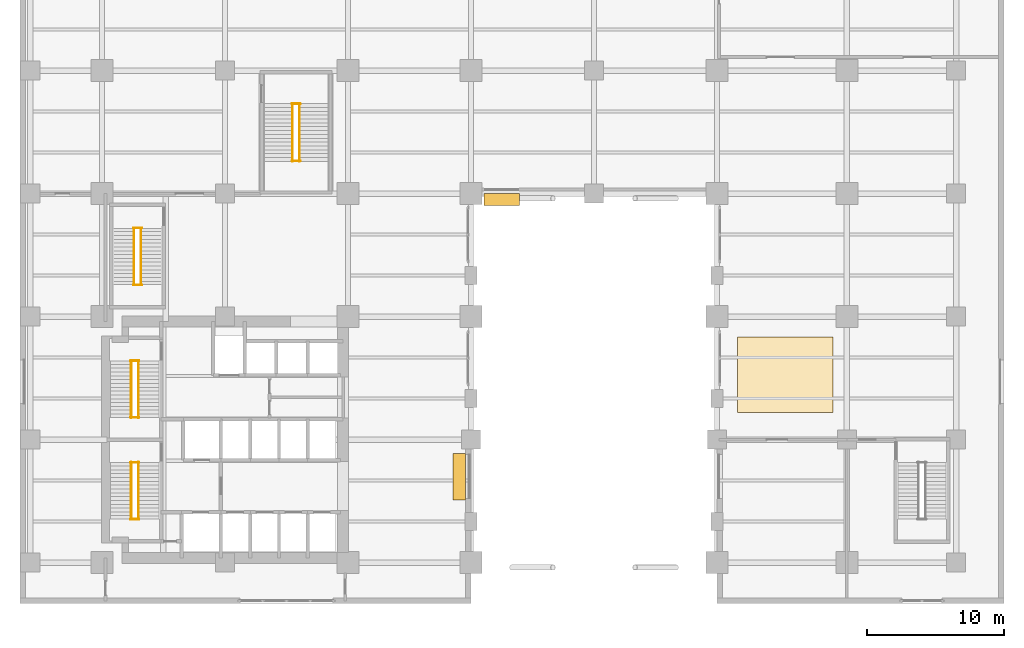
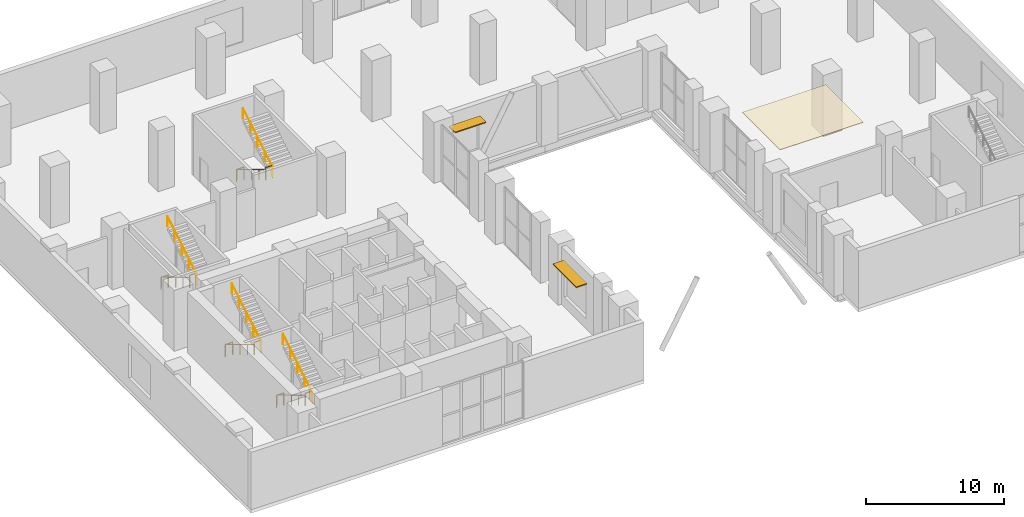
# One storey, part 19 of 20: 16 railings, 2 shading devices, 1 covering.
"""IFC4 building model written with IfcOpenShell, lengths in metres."""

from ifc_helpers import new_model, si_unit, direction, frame, origin, origin_2d, place, context, subcontext, project, spatial, polyline, rectangle, circle, outline, extrude, material, layer, layer_set, type_object, element, save


model = new_model("IFC4")

# Units and contexts
model_context = context("Model", 3, precision=1e-05, world=origin(), true_north=direction((0.0, 1.0)))
body_context = subcontext(model_context, "Body", "Model", "MODEL_VIEW")
ifc_project = project(units=[si_unit("LENGTHUNIT", "METRE"), si_unit("AREAUNIT", "SQUARE_METRE"), si_unit("VOLUMEUNIT", "CUBIC_METRE"), si_unit("PLANEANGLEUNIT", "RADIAN"), si_unit("MASSUNIT", "GRAM", prefix="KILO")], contexts=[model_context])

# Site, building, storey
site_placement = place(None, origin())
site = spatial("IfcSite", under=ifc_project, at=site_placement, CompositionType="ELEMENT")
building_placement = place(site_placement, origin())
building = spatial("IfcBuilding", under=site, at=building_placement, Name="Mawjdan Bourse Tower", CompositionType="ELEMENT")
storey_placement = place(building_placement, frame((0.0, 0.0, 5.39990234375)))
storey = spatial("IfcBuildingStorey", under=building, at=storey_placement, Name="L01", CompositionType="ELEMENT", Elevation=5.39990234375)

# Covering
ifc_material_1 = material(Name="Perforated Mineral-Fibre Acoustic Ceiling")
ifc_layer_1 = layer(ifc_material_1, 0.044921875)
ifc_layer_set_1 = layer_set([ifc_layer_1], Name="Perforated Mineral-Fibre Acoustic Ceiling")
covering_type = type_object("IfcCoveringType", Name="COV-CLG-AC", PredefinedType="CEILING", material=ifc_layer_set_1)
covering_placement = place(storey_placement, frame((0.0, 0.0, 5.05517578125)))
element("IfcCovering", 1, at=covering_placement, inside=storey, type_object=covering_type, Name="L01 Suspended Acoustic Ceiling", PredefinedType="CEILING", context=body_context, shape_type="SweptSolid", body=[
    extrude(outline(polyline([(52.5, 14.0), (59.5, 14.0), (59.5, 19.5), (52.5, 19.5), (52.5, 14.0)])), origin(), (0.0, 0.0, 1.0), 0.044921875),
])

# Railings
ifc_material_2 = material(Name="Structural Steel S355", Category="steel")
railing_type_1 = type_object("IfcRailingType", Name="RLG-GRD-1100", PredefinedType="GUARDRAIL", material=ifc_material_2)
for number, where, name in (
    (2, (8.090087890625, 6.169921875, 2.7001953125), "L01 ST1 Landing Guardrail GL-MID"),
    (3, (8.090087890625, 10.330078125, 0.0), "L01 ST1 Landing Guardrail GL-BOT"),
    (4, (8.090087890625, 13.610107421875, 2.7001953125), "L01 ST2 Landing Guardrail GL-MID"),
    (5, (8.090087890625, 17.77001953125, 0.0), "L01 ST2 Landing Guardrail GL-BOT"),
    (6, (8.2900390625, 23.320068359375, 2.7001953125), "L01 ST3 Landing Guardrail GL-MID"),
    (7, (8.2900390625, 27.47998046875, 0.0), "L01 ST3 Landing Guardrail GL-BOT"),
):
    element("IfcRailing", number, at=place(storey_placement, frame(where)), inside=storey, type_object=railing_type_1, Name=name, PredefinedType="GUARDRAIL", context=body_context, shape_type="SweptSolid", body=[
        extrude(circle(Radius=0.02490234375, at=origin_2d()), frame((0.0, 0.0, 1.0751953125), z_axis=(1.0, 0.0, 0.0), x_axis=(0.0, 1.0, 0.0)), (0.0, 0.0, 1.0), 0.619873046875),
        extrude(circle(Radius=0.02099609375, at=origin_2d()), origin(), (0.0, 0.0, 1.0), 1.050048828125),
        extrude(circle(Radius=0.02099609375, at=origin_2d()), frame((0.619873046875, 0.0, 0.0)), (0.0, 0.0, 1.0), 1.050048828125),
    ])
for number, where, name in (
    (8, (19.889892578125, 32.3798828125, 2.7001953125), "L01 ST4 Landing Guardrail GL-MID"),
    (9, (19.889892578125, 36.570068359375, 0.0), "L01 ST4 Landing Guardrail GL-BOT"),
):
    element("IfcRailing", number, at=place(storey_placement, frame(where)), inside=storey, type_object=railing_type_1, Name=name, PredefinedType="GUARDRAIL", context=body_context, shape_type="SweptSolid", body=[
        extrude(circle(Radius=0.02490234375, at=origin_2d()), frame((0.0, 0.0, 1.0751953125), z_axis=(1.0, 0.0, 0.0), x_axis=(0.0, 1.0, 0.0)), (0.0, 0.0, 1.0), 0.6201171875),
        extrude(circle(Radius=0.02099609375, at=origin_2d()), origin(), (0.0, 0.0, 1.0), 1.050048828125),
        extrude(circle(Radius=0.02099609375, at=origin_2d()), frame((0.6201171875, 0.0, 0.0)), (0.0, 0.0, 1.0), 1.050048828125),
    ])
ifc_material_3 = material(Name="Brushed Stainless Steel", Category="steel")
railing_type_2 = type_object("IfcRailingType", Name="RLG-HND-920", PredefinedType="HANDRAIL", material=ifc_material_3)
railing_1_placement = place(storey_placement, frame((8.139892578125, 10.35009765625, 0.1689453125)))
element("IfcRailing", 10, at=railing_1_placement, inside=storey, type_object=railing_type_2, Name="L01 ST1 Flight Handrail HR1", PredefinedType="HANDRAIL", context=body_context, shape_type="SweptSolid", body=[
    extrude(circle(Radius=0.0224609375, at=origin_2d()), frame((0.0, 0.0, 0.8974609375), z_axis=(0.0, -0.856489757249, 0.516164020179), x_axis=(1.0, 0.0, 0.0)), (0.0, 0.0, 1.0), 4.904052734375),
    extrude(circle(Radius=0.01904296875, at=origin_2d()), origin(), (0.0, 0.0, 1.0), 0.875),
    extrude(circle(Radius=0.01904296875, at=origin_2d()), frame((0.0, -1.050048828125, 0.6328125)), (0.0, 0.0, 1.0), 0.875),
    extrude(circle(Radius=0.01904296875, at=origin_2d()), frame((0.0, -2.10009765625, 1.265625)), (0.0, 0.0, 1.0), 0.875),
    extrude(circle(Radius=0.01904296875, at=origin_2d()), frame((0.0, -3.150146484375, 1.8984375)), (0.0, 0.0, 1.0), 0.875),
    extrude(circle(Radius=0.01904296875, at=origin_2d()), frame((0.0, -4.2001953125, 2.53125)), (0.0, 0.0, 1.0), 0.875),
])
railing_2_placement = place(storey_placement, frame((8.659912109375, 6.14990234375, 2.868896484375)))
element("IfcRailing", 11, at=railing_2_placement, inside=storey, type_object=railing_type_2, Name="L01 ST1 Flight Handrail HR2", PredefinedType="HANDRAIL", context=body_context, shape_type="SweptSolid", body=[
    extrude(circle(Radius=0.0224609375, at=origin_2d()), frame((0.0, 0.0, 0.8974609375), z_axis=(0.0, 0.856489757249, 0.516164020179), x_axis=(-1.0, 0.0, 0.0)), (0.0, 0.0, 1.0), 4.904052734375),
    extrude(circle(Radius=0.01904296875, at=origin_2d()), origin(), (0.0, 0.0, 1.0), 0.875),
    extrude(circle(Radius=0.01904296875, at=origin_2d()), frame((0.0, 1.050048828125, 0.6328125)), (0.0, 0.0, 1.0), 0.875),
    extrude(circle(Radius=0.01904296875, at=origin_2d()), frame((0.0, 2.10009765625, 1.265625)), (0.0, 0.0, 1.0), 0.875),
    extrude(circle(Radius=0.01904296875, at=origin_2d()), frame((0.0, 3.150146484375, 1.8984375)), (0.0, 0.0, 1.0), 0.875),
    extrude(circle(Radius=0.01904296875, at=origin_2d()), frame((0.0, 4.2001953125, 2.53125)), (0.0, 0.0, 1.0), 0.875),
])
railing_3_placement = place(storey_placement, frame((8.139892578125, 17.7900390625, 0.1689453125)))
element("IfcRailing", 12, at=railing_3_placement, inside=storey, type_object=railing_type_2, Name="L01 ST2 Flight Handrail HR1", PredefinedType="HANDRAIL", context=body_context, shape_type="SweptSolid", body=[
    extrude(circle(Radius=0.0224609375, at=origin_2d()), frame((0.0, 0.0, 0.8974609375), z_axis=(0.0, -0.856476492594, 0.516186030065), x_axis=(1.0, 0.0, 0.0)), (0.0, 0.0, 1.0), 4.90380859375),
    extrude(circle(Radius=0.01904296875, at=origin_2d()), origin(), (0.0, 0.0, 1.0), 0.875),
    extrude(circle(Radius=0.01904296875, at=origin_2d()), frame((0.0, -1.050048828125, 0.6328125)), (0.0, 0.0, 1.0), 0.875),
    extrude(circle(Radius=0.01904296875, at=origin_2d()), frame((0.0, -2.10009765625, 1.265625)), (0.0, 0.0, 1.0), 0.875),
    extrude(circle(Radius=0.01904296875, at=origin_2d()), frame((0.0, -3.14990234375, 1.8984375)), (0.0, 0.0, 1.0), 0.875),
    extrude(circle(Radius=0.01904296875, at=origin_2d()), frame((0.0, -4.199951171875, 2.53125)), (0.0, 0.0, 1.0), 0.875),
])
railing_4_placement = place(storey_placement, frame((8.659912109375, 13.590087890625, 2.868896484375)))
element("IfcRailing", 13, at=railing_4_placement, inside=storey, type_object=railing_type_2, Name="L01 ST2 Flight Handrail HR2", PredefinedType="HANDRAIL", context=body_context, shape_type="SweptSolid", body=[
    extrude(circle(Radius=0.0224609375, at=origin_2d()), frame((0.0, 0.0, 0.8974609375), z_axis=(0.0, 0.856476492594, 0.516186030065), x_axis=(-1.0, 0.0, 0.0)), (0.0, 0.0, 1.0), 4.90380859375),
    extrude(circle(Radius=0.01904296875, at=origin_2d()), origin(), (0.0, 0.0, 1.0), 0.875),
    extrude(circle(Radius=0.01904296875, at=origin_2d()), frame((0.0, 1.050048828125, 0.6328125)), (0.0, 0.0, 1.0), 0.875),
    extrude(circle(Radius=0.01904296875, at=origin_2d()), frame((0.0, 2.10009765625, 1.265625)), (0.0, 0.0, 1.0), 0.875),
    extrude(circle(Radius=0.01904296875, at=origin_2d()), frame((0.0, 3.14990234375, 1.8984375)), (0.0, 0.0, 1.0), 0.875),
    extrude(circle(Radius=0.01904296875, at=origin_2d()), frame((0.0, 4.199951171875, 2.53125)), (0.0, 0.0, 1.0), 0.875),
])
railing_5_placement = place(storey_placement, frame((8.340087890625, 27.5, 0.1689453125)))
element("IfcRailing", 14, at=railing_5_placement, inside=storey, type_object=railing_type_2, Name="L01 ST3 Flight Handrail HR1", PredefinedType="HANDRAIL", context=body_context, shape_type="SweptSolid", body=[
    extrude(circle(Radius=0.0224609375, at=origin_2d()), frame((0.0, 0.0, 0.8974609375), z_axis=(0.0, -0.856476492594, 0.516186030065), x_axis=(1.0, 0.0, 0.0)), (0.0, 0.0, 1.0), 4.90380859375),
    extrude(circle(Radius=0.01904296875, at=origin_2d()), origin(), (0.0, 0.0, 1.0), 0.875),
    extrude(circle(Radius=0.01904296875, at=origin_2d()), frame((0.0, -1.050048828125, 0.6328125)), (0.0, 0.0, 1.0), 0.875),
    extrude(circle(Radius=0.01904296875, at=origin_2d()), frame((0.0, -2.10009765625, 1.265625)), (0.0, 0.0, 1.0), 0.875),
    extrude(circle(Radius=0.01904296875, at=origin_2d()), frame((0.0, -3.14990234375, 1.8984375)), (0.0, 0.0, 1.0), 0.875),
    extrude(circle(Radius=0.01904296875, at=origin_2d()), frame((0.0, -4.199951171875, 2.53125)), (0.0, 0.0, 1.0), 0.875),
])
railing_6_placement = place(storey_placement, frame((8.860107421875, 23.300048828125, 2.868896484375)))
element("IfcRailing", 15, at=railing_6_placement, inside=storey, type_object=railing_type_2, Name="L01 ST3 Flight Handrail HR2", PredefinedType="HANDRAIL", context=body_context, shape_type="SweptSolid", body=[
    extrude(circle(Radius=0.0224609375, at=origin_2d()), frame((0.0, 0.0, 0.8974609375), z_axis=(0.0, 0.856476492594, 0.516186030065), x_axis=(-1.0, 0.0, 0.0)), (0.0, 0.0, 1.0), 4.90380859375),
    extrude(circle(Radius=0.01904296875, at=origin_2d()), origin(), (0.0, 0.0, 1.0), 0.875),
    extrude(circle(Radius=0.01904296875, at=origin_2d()), frame((0.0, 1.050048828125, 0.6328125)), (0.0, 0.0, 1.0), 0.875),
    extrude(circle(Radius=0.01904296875, at=origin_2d()), frame((0.0, 2.10009765625, 1.265625)), (0.0, 0.0, 1.0), 0.875),
    extrude(circle(Radius=0.01904296875, at=origin_2d()), frame((0.0, 3.14990234375, 1.8984375)), (0.0, 0.0, 1.0), 0.875),
    extrude(circle(Radius=0.01904296875, at=origin_2d()), frame((0.0, 4.199951171875, 2.53125)), (0.0, 0.0, 1.0), 0.875),
])
railing_7_placement = place(storey_placement, frame((19.93994140625, 36.590087890625, 0.1689453125)))
element("IfcRailing", 16, at=railing_7_placement, inside=storey, type_object=railing_type_2, Name="L01 ST4 Flight Handrail HR1", PredefinedType="HANDRAIL", context=body_context, shape_type="SweptSolid", body=[
    extrude(circle(Radius=0.0224609375, at=origin_2d()), frame((0.0, 0.0, 0.8974609375), z_axis=(0.0, -0.858095394106, 0.51349030625), x_axis=(1.0, 0.0, 0.0)), (0.0, 0.0, 1.0), 4.929443359375),
    extrude(circle(Radius=0.01904296875, at=origin_2d()), origin(), (0.0, 0.0, 1.0), 0.875),
    extrude(circle(Radius=0.01904296875, at=origin_2d()), frame((0.0, -1.0576171875, 0.6328125)), (0.0, 0.0, 1.0), 0.875),
    extrude(circle(Radius=0.01904296875, at=origin_2d()), frame((0.0, -2.114990234375, 1.265625)), (0.0, 0.0, 1.0), 0.875),
    extrude(circle(Radius=0.01904296875, at=origin_2d()), frame((0.0, -3.17236328125, 1.8984375)), (0.0, 0.0, 1.0), 0.875),
    extrude(circle(Radius=0.01904296875, at=origin_2d()), frame((0.0, -4.22998046875, 2.53125)), (0.0, 0.0, 1.0), 0.875),
])
railing_8_placement = place(storey_placement, frame((20.4599609375, 32.360107421875, 2.868896484375)))
element("IfcRailing", 17, at=railing_8_placement, inside=storey, type_object=railing_type_2, Name="L01 ST4 Flight Handrail HR2", PredefinedType="HANDRAIL", context=body_context, shape_type="SweptSolid", body=[
    extrude(circle(Radius=0.0224609375, at=origin_2d()), frame((0.0, 0.0, 0.8974609375), z_axis=(0.0, 0.858095394106, 0.51349030625), x_axis=(-1.0, 0.0, 0.0)), (0.0, 0.0, 1.0), 4.929443359375),
    extrude(circle(Radius=0.01904296875, at=origin_2d()), origin(), (0.0, 0.0, 1.0), 0.875),
    extrude(circle(Radius=0.01904296875, at=origin_2d()), frame((0.0, 1.0576171875, 0.6328125)), (0.0, 0.0, 1.0), 0.875),
    extrude(circle(Radius=0.01904296875, at=origin_2d()), frame((0.0, 2.114990234375, 1.265625)), (0.0, 0.0, 1.0), 0.875),
    extrude(circle(Radius=0.01904296875, at=origin_2d()), frame((0.0, 3.17236328125, 1.8984375)), (0.0, 0.0, 1.0), 0.875),
    extrude(circle(Radius=0.01904296875, at=origin_2d()), frame((0.0, 4.22998046875, 2.53125)), (0.0, 0.0, 1.0), 0.875),
])

# Shading devices
ifc_material_4 = material(Name="Bronze Anodised Aluminium", Category="aluminium")
ifc_layer_2 = layer(ifc_material_4, 0.0849609375)
ifc_layer_set_2 = layer_set([ifc_layer_2], Name="Bronze Anodised Aluminium")
shading_device_type = type_object("IfcShadingDeviceType", Name="SHD-SUN-900", PredefinedType="USERDEFINED", material=ifc_layer_set_2)
shading_device_1_placement = place(storey_placement, frame((32.14990234375, 9.300048828125, 4.0), z_axis=(0.0, 0.0, 1.0), x_axis=(0.0, -1.0, 0.0)))
element("IfcShadingDevice", 18, at=shading_device_1_placement, inside=storey, type_object=shading_device_type, Name="L01 Solar Window Hood 01", ObjectType="SUNSHADE", PredefinedType="USERDEFINED", context=body_context, shape_type="SweptSolid", body=[
    extrude(rectangle(XDim=3.39990234375, YDim=0.89990234375, at=origin_2d()), origin(), (0.0, 0.0, 1.0), 0.0849609375),
])
shading_device_2_placement = place(storey_placement, frame((35.25, 29.570068359375, 3.900146484375), z_axis=(0.0, 0.0, 1.0), x_axis=(1.0, 0.0, 0.0)))
element("IfcShadingDevice", 19, at=shading_device_2_placement, inside=storey, type_object=shading_device_type, Name="L01 Solar Window Hood 02", ObjectType="SUNSHADE", PredefinedType="USERDEFINED", context=body_context, shape_type="SweptSolid", body=[
    extrude(rectangle(XDim=2.60009765625, YDim=0.89990234375, at=origin_2d()), origin(), (0.0, 0.0, 1.0), 0.0849609375),
])

save(model, "model.ifc")
